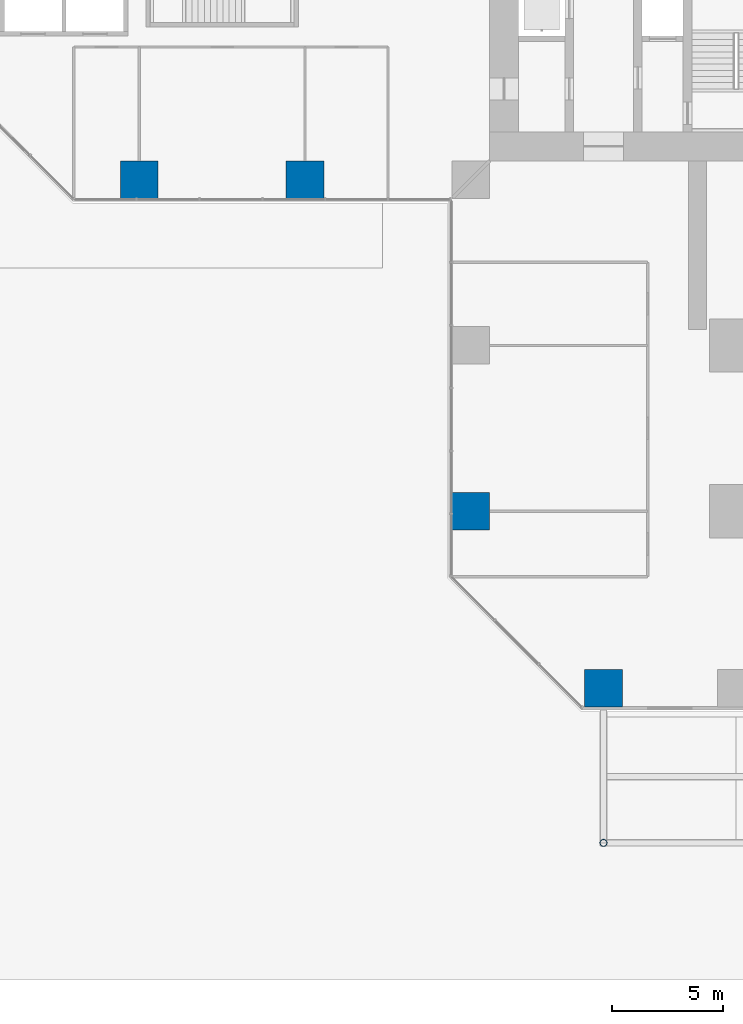
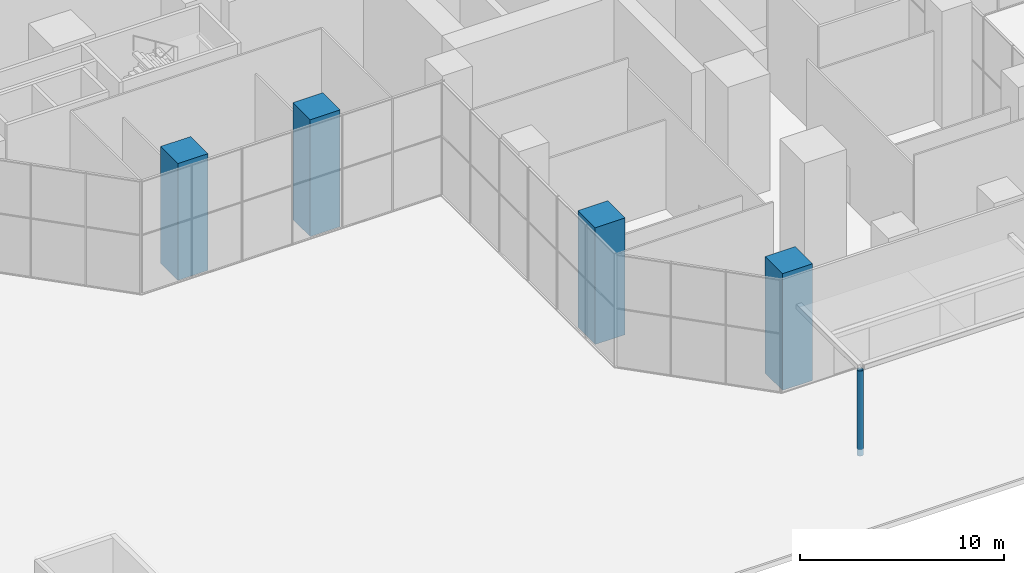
# One storey, part 1 of 43: 5 columns.
"""IFC4 building model written with IfcOpenShell, lengths in metres."""

import ifcopenshell
import ifcopenshell.guid

model = None  # the IFC model being written
_history = None  # IfcOwnerHistory: only IFC2X3 demands one
_inside = {}  # id of a spatial element -> (the spatial element, [elements in it])
_under = {}  # id of a project, library or spatial element -> (it, [spatial elements below it])
_declared = {}  # id of a project -> (the project, [libraries it declares])
_typed = {}  # id of a type object -> (the type object, [elements of that type])
_made_of = {}  # id of a material, layer set ... -> (it, [elements and type objects made of it])


def new_model(schema):
    """Start an empty IFC model of exactly this schema.

    Asked for "IFC4X3", IfcOpenShell would pick the latest addendum, in which some entities
    have other attributes; the version numbers below select the first issue.
    IFC2X3 requires an IfcOwnerHistory on every rooted entity: one is made here for all.
    """
    global model, _history
    if schema == "IFC4X3":
        model = ifcopenshell.file(schema_version=(4, 3, 0, 0))
    else:
        model = ifcopenshell.file(schema=schema)
    _inside.clear()
    _under.clear()
    _declared.clear()
    _typed.clear()
    _made_of.clear()
    _history = None
    if model.schema == "IFC2X3":
        org = make("IfcOrganization", Name="unknown")
        user = make(
            "IfcPersonAndOrganization",
            ThePerson=make("IfcPerson", FamilyName="unknown"),
            TheOrganization=org,
        )
        app = make(
            "IfcApplication",
            ApplicationDeveloper=org,
            Version="unknown",
            ApplicationFullName="unknown",
            ApplicationIdentifier="unknown",
        )
        _history = make(
            "IfcOwnerHistory",
            OwningUser=user,
            OwningApplication=app,
            ChangeAction="ADDED",
            CreationDate=0,
        )
    return model


def make(cls, **values):
    """One entity of the class cls with the attributes given. An attribute that is None is left unset."""
    return model.create_entity(
        cls, **{name: value for name, value in values.items() if value is not None}
    )


def rooted(cls, **values):
    """An entity with a GlobalId (a new one), such as an element, a storey or a relation."""
    return make(cls, GlobalId=ifcopenshell.guid.new(), OwnerHistory=_history, **values)


def si_unit(unit_type, name, prefix=None):
    """IfcSIUnit, for example si_unit("LENGTHUNIT", "METRE", prefix="MILLI")."""
    return make("IfcSIUnit", UnitType=unit_type, Prefix=prefix, Name=name)


def assignment(units):
    """IfcUnitAssignment: the units of a project."""
    return None if units is None else make("IfcUnitAssignment", Units=units)


def point(xyz):
    """IfcCartesianPoint."""
    return None if xyz is None else make("IfcCartesianPoint", Coordinates=xyz)


def direction(xyz):
    """IfcDirection."""
    return None if xyz is None else make("IfcDirection", DirectionRatios=xyz)


def frame(location, z_axis=None, x_axis=None):
    """IfcAxis2Placement3D, a coordinate frame: its origin and axes. An axis left out is left unset."""
    return make(
        "IfcAxis2Placement3D",
        Location=point(location),
        Axis=direction(z_axis),
        RefDirection=direction(x_axis),
    )


def frame_2d(location, x_axis=None):
    """IfcAxis2Placement2D, a coordinate frame in the plane: its origin and x axis."""
    return make(
        "IfcAxis2Placement2D", Location=point(location), RefDirection=direction(x_axis)
    )


def origin():
    """The frame at (0, 0, 0) with its axes left unset."""
    return frame((0.0, 0.0, 0.0))


def origin_2d():
    """The frame at (0, 0) in the plane with its x axis left unset."""
    return frame_2d((0.0, 0.0))


def place(relative_to, where):
    """IfcLocalPlacement: puts the frame where relative to a parent placement (None: the world)."""
    return make(
        "IfcLocalPlacement", PlacementRelTo=relative_to, RelativePlacement=where
    )


def context(
    kind, dimensions, precision=None, world=None, true_north=None, identifier=None
):
    """IfcGeometricRepresentationContext, for example the 3D "Model" context."""
    return make(
        "IfcGeometricRepresentationContext",
        ContextIdentifier=identifier,
        ContextType=kind,
        CoordinateSpaceDimension=dimensions,
        Precision=precision,
        WorldCoordinateSystem=world,
        TrueNorth=true_north,
    )


def subcontext(parent, identifier, kind, view, scale=None):
    """IfcGeometricRepresentationSubContext, for example "Body" below "Model"."""
    return make(
        "IfcGeometricRepresentationSubContext",
        ContextIdentifier=identifier,
        ContextType=kind,
        ParentContext=parent,
        TargetScale=scale,
        TargetView=view,
    )


def project(units=None, contexts=None):
    """IfcProject with its units and contexts."""
    return rooted(
        "IfcProject",
        Name="project",
        RepresentationContexts=contexts,
        UnitsInContext=assignment(units),
    )


def spatial(cls, under=None, at=None, **own):
    """A site, building, storey or space (cls), placed at a placement, below another one or the project."""
    s = rooted(cls, ObjectPlacement=at, **own)
    if under is not None:
        _under.setdefault(under.id(), (under, []))[1].append(s)
    return s


def profile(cls, at=None, kind="AREA", **sizes):
    """A parametric profile (cls). Its sizes go by their IFC names, for example OverallWidth=200.0."""
    return make(cls, ProfileType=kind, Position=at, **sizes)


def rectangle(**sizes):
    """IfcRectangleProfileDef."""
    return profile("IfcRectangleProfileDef", **sizes)


def hollow_circle(**sizes):
    """IfcCircleHollowProfileDef."""
    return profile("IfcCircleHollowProfileDef", **sizes)


def extrude(swept, where, along, depth):
    """IfcExtrudedAreaSolid: the profile swept, set in the frame where, extruded along a direction by depth."""
    return make(
        "IfcExtrudedAreaSolid",
        SweptArea=swept,
        Position=where,
        ExtrudedDirection=direction(along),
        Depth=depth,
    )


def shape(context_of_items, identifier, shape_type, items):
    """IfcShapeRepresentation: the items that make up one representation, for example the "Body"."""
    return make(
        "IfcShapeRepresentation",
        ContextOfItems=context_of_items,
        RepresentationIdentifier=identifier,
        RepresentationType=shape_type,
        Items=items,
    )


def material(Name=None, Category=None):
    """IfcMaterial."""
    return make("IfcMaterial", Name=Name, Category=Category)


def material_profile(
    of_material, cross_section, Name=None, Category=None, Priority=None
):
    """IfcMaterialProfile: a cross section and its material."""
    return make(
        "IfcMaterialProfile",
        Name=Name,
        Material=of_material,
        Profile=cross_section,
        Priority=Priority,
        Category=Category,
    )


def profile_set(profiles, Name=None, composite=None):
    """IfcMaterialProfileSet."""
    return make(
        "IfcMaterialProfileSet",
        Name=Name,
        MaterialProfiles=profiles,
        CompositeProfile=composite,
    )


def made_of(thing, what):
    """Note that an element or type object is made of a material, layer set ...; save() writes the relation."""
    if what is not None:
        _made_of.setdefault(what.id(), (what, []))[1].append(thing)
    return thing


def type_object(cls, material=None, **own):
    """A type object (cls), such as IfcWallType, which elements share."""
    return made_of(rooted(cls, **own), material)


def element(
    cls,
    number,
    at=None,
    inside=None,
    cuts=None,
    type_object=None,
    material=None,
    context=None,
    identifier="Body",
    shape_type=None,
    held_by="IfcProductDefinitionShape",
    body=None,
    shapes=None,
    **own,
):
    """One element of the class cls, such as IfcWall. Its Tag is "e" and its number.

    at: its placement. inside: the storey or other place that contains it. cuts: it is an
    opening in that element (IfcRelVoidsElement). A single representation is given by context,
    identifier, shape_type and body (its items); several are given by shapes. held_by: the class
    of the entity that holds the representations. save() writes the other relations.
    """
    e = rooted(cls, Tag="e%d" % number, ObjectPlacement=at, **own)
    if body is not None:
        shapes = [shape(context, identifier, shape_type, body)]
    if shapes is not None:
        e.Representation = make(held_by, Representations=shapes)
    if inside is not None:
        _inside.setdefault(inside.id(), (inside, []))[1].append(e)
    if cuts is not None:
        rooted(
            "IfcRelVoidsElement", RelatingBuildingElement=cuts, RelatedOpeningElement=e
        )
    if type_object is not None:
        _typed.setdefault(type_object.id(), (type_object, []))[1].append(e)
    return made_of(e, material)


def aggregate(whole, parts):
    """IfcRelAggregates: a whole, such as a stair, and the parts it consists of."""
    return rooted("IfcRelAggregates", RelatingObject=whole, RelatedObjects=parts)


def save(model, path):
    """Write the relations noted so far, then the file.

    IfcRelAggregates (storeys below a building ...), IfcRelContainedInSpatialStructure (elements
    in a storey), IfcRelDefinesByType, IfcRelAssociatesMaterial and IfcRelDeclares: one each for
    every whole, place, type object, material and project.
    """
    for whole, parts in _under.values():
        aggregate(whole, parts)
    for where, things in _inside.values():
        rooted(
            "IfcRelContainedInSpatialStructure",
            RelatedElements=things,
            RelatingStructure=where,
        )
    for kind, things in _typed.values():
        rooted("IfcRelDefinesByType", RelatedObjects=things, RelatingType=kind)
    for what, things in _made_of.values():
        rooted("IfcRelAssociatesMaterial", RelatedObjects=things, RelatingMaterial=what)
    for by, libraries in _declared.values():
        rooted("IfcRelDeclares", RelatingContext=by, RelatedDefinitions=libraries)
    model.write(path)


model = new_model("IFC4")

# Units and contexts
model_context = context("Model", 3, precision=1e-05, world=origin(), true_north=direction((0.0, 1.0)))
body_context = subcontext(model_context, "Body", "Model", "MODEL_VIEW")
ifc_project = project(units=[si_unit("LENGTHUNIT", "METRE"), si_unit("AREAUNIT", "SQUARE_METRE"), si_unit("VOLUMEUNIT", "CUBIC_METRE"), si_unit("PLANEANGLEUNIT", "RADIAN"), si_unit("MASSUNIT", "GRAM", prefix="KILO")], contexts=[model_context])

# Site, building, storey
site_placement = place(None, origin())
site = spatial("IfcSite", under=ifc_project, at=site_placement, CompositionType="ELEMENT")
building_placement = place(site_placement, origin())
building = spatial("IfcBuilding", under=site, at=building_placement, Name="Mizan Broadcast Tower", CompositionType="ELEMENT")
storey_placement = place(building_placement, origin())
storey = spatial("IfcBuildingStorey", under=building, at=storey_placement, Name="L00", CompositionType="ELEMENT", Elevation=0.0)

# Columns
ifc_material_1 = material(Name="Steel S355", Category="steel")
ifc_material_profile_1 = material_profile(ifc_material_1, hollow_circle(Radius=0.161865234375, WallThickness=0.01611328125, at=origin_2d()), Name="CHS 323.9x16")
ifc_profile_set_1 = profile_set([ifc_material_profile_1], Name="Steel S355")
column_type_1 = type_object("IfcColumnType", Name="CANOPY POST CHS 323.9x16", PredefinedType="COLUMN", material=ifc_profile_set_1)
column_placement = place(storey_placement, frame((-6.0, -42.0, -0.39990234375), z_axis=(0.0, 0.0, 1.0), x_axis=(1.0, 0.0, 0.0)))
element("IfcColumn", 1, at=column_placement, inside=storey, type_object=column_type_1, Name="Canopy post 1", PredefinedType="COLUMN", context=body_context, shape_type="SweptSolid", body=[
    extrude(hollow_circle(Radius=0.161865234375, WallThickness=0.01611328125, at=origin_2d()), origin(), (0.0, 0.0, 1.0), 5.099853515625),
])
ifc_material_2 = material(Name="Concrete C70/85", Category="concrete")
ifc_material_profile_2 = material_profile(ifc_material_2, rectangle(XDim=1.699951171875, YDim=1.699951171875, at=origin_2d()), Name="RC 1700x1700")
ifc_profile_set_2 = profile_set([ifc_material_profile_2], Name="Concrete C70/85")
column_type_2 = type_object("IfcColumnType", Name="RC COLUMN 1700x1700 C70/85", PredefinedType="COLUMN", material=ifc_profile_set_2)
for number, where, z_axis, x_axis, name in (
    (2, (-6.0, -35.0, 0.0), (0.0, 0.0, 1.0), (1.0, 0.0, 0.0), "Column 5/A L00"),
    (3, (-12.0, -27.0, 0.0), (0.0, 0.0, 1.0), (1.0, 0.0, 0.0), "Column 4/B L00"),
    (4, (-27.0, -12.0, 0.0), (0.0, 0.0, 1.0), (1.0, 0.0, 0.0), "Column 2/D L00"),
    (5, (-19.5, -12.0, 0.0), (0.0, 0.0, 1.0), (1.0, 0.0, 0.0), "Column 3/D L00"),
):
    element("IfcColumn", number, at=place(storey_placement, frame(where, z_axis=z_axis, x_axis=x_axis)), inside=storey, type_object=column_type_2, Name=name, PredefinedType="COLUMN", context=body_context, shape_type="SweptSolid", body=[
        extrude(rectangle(XDim=1.699951171875, YDim=1.699951171875, at=origin_2d()), origin(), (0.0, 0.0, 1.0), 7.0),
    ])

save(model, "model.ifc")
